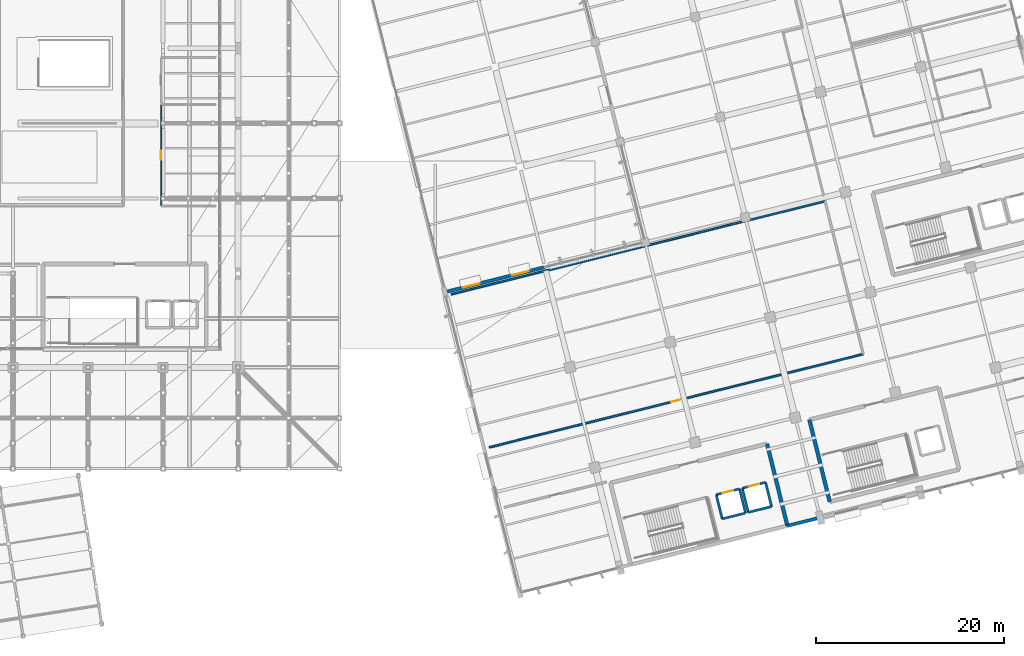
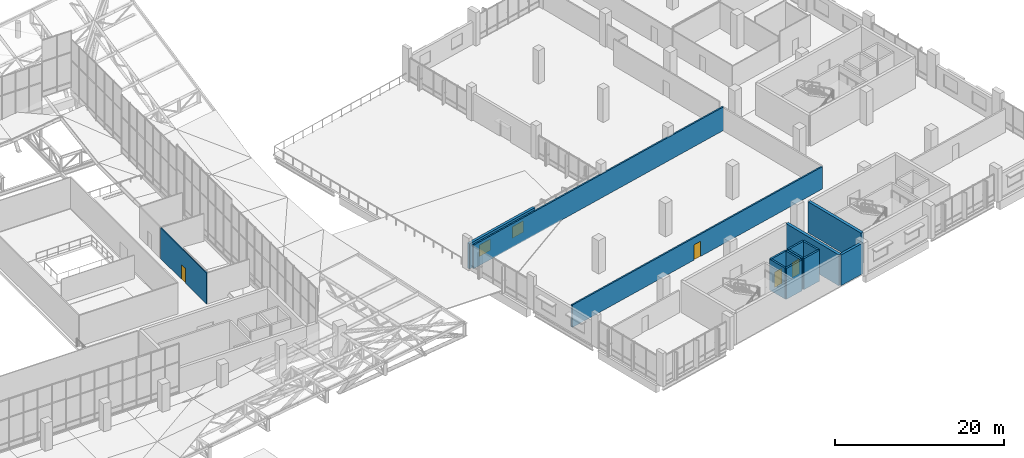
# One storey, part 123 of 137: 15 walls, 4 doors, 2 windows, 6 openings.
"""IFC4 building model written with IfcOpenShell, lengths in metres."""

from ifc_helpers import new_model, si_unit, direction, frame, frame_2d, origin, place, context, subcontext, project, spatial, rectangle, extrude, material, layer, layer_set, type_object, element, fill, save


model = new_model("IFC4")

# Units and contexts
model_context = context("Model", 3, precision=1e-05, world=origin(), true_north=direction((0.0, 1.0)))
body_context = subcontext(model_context, "Body", "Model", "MODEL_VIEW")
ifc_project = project(units=[si_unit("LENGTHUNIT", "METRE"), si_unit("AREAUNIT", "SQUARE_METRE"), si_unit("VOLUMEUNIT", "CUBIC_METRE"), si_unit("PLANEANGLEUNIT", "RADIAN"), si_unit("MASSUNIT", "GRAM", prefix="KILO")], contexts=[model_context])

# Site, building, storey
site_placement = place(None, origin())
site = spatial("IfcSite", under=ifc_project, at=site_placement, CompositionType="ELEMENT")
building_placement = place(site_placement, origin())
building = spatial("IfcBuilding", under=site, at=building_placement, Name="Khorjan Park Terminus", CompositionType="ELEMENT")
storey_placement = place(building_placement, frame((0.0, 0.0, 11.4)))
storey = spatial("IfcBuildingStorey", under=building, at=storey_placement, Name="L02", CompositionType="ELEMENT", Elevation=11.4)

# Walls
ifc_material_1 = material(Name="Concrete C50/60", Category="concrete")
ifc_layer_1 = layer(ifc_material_1, 0.4)
ifc_layer_set_1 = layer_set([ifc_layer_1], Name="Concrete C50/60")
wall_type_1 = type_object("IfcWallType", Name="CW-40", PredefinedType="SHEAR", material=ifc_layer_set_1)
wall_1_placement = place(storey_placement, frame((194.5267, 9.1125, 0.0), z_axis=(0.0, 0.0, 1.0), x_axis=(-0.241923808098, 0.970295249435, 0.0)))
element("IfcWall", 1, at=wall_1_placement, inside=storey, type_object=wall_type_1, Name="Operations West Firefighting Core concrete shear wall CW-40 (L02-E2)", PredefinedType="SHEAR", context=body_context, shape_type="SweptSolid", body=[
    extrude(rectangle(XDim=8.9999, YDim=0.4, at=frame_2d((4.5, 0.0))), origin(), (0.0, 0.0, 1.0), 4.46),
])
wall_2_placement = place(storey_placement, frame((196.8622, 20.4132, 0.0), z_axis=(0.0, 0.0, 1.0), x_axis=(0.241921199913, -0.97029589973, 0.0)))
element("IfcWall", 2, at=wall_2_placement, inside=storey, type_object=wall_type_1, Name="Operations Central Command Core concrete shear wall CW-40 (L02-E4)", PredefinedType="SHEAR", context=body_context, shape_type="SweptSolid", body=[
    extrude(rectangle(XDim=9.0, YDim=0.4, at=frame_2d((4.5, 0.0))), origin(), (0.0, 0.0, 1.0), 4.46),
])

# Wall, openings, windows
ifc_material_2 = material(Name="Pigmented Precast GRC & Concrete C40/50", Category="concrete")
ifc_layer_2 = layer(ifc_material_2, 0.35)
ifc_layer_set_2 = layer_set([ifc_layer_2], Name="Pigmented Precast GRC & Concrete C40/50")
wall_type_2 = type_object("IfcWallType", Name="EW-35", PredefinedType="STANDARD", material=ifc_layer_set_2)
wall_3_placement = place(storey_placement, frame((168.6898, 36.6809, 0.0), z_axis=(0.0, 0.0, 1.0), x_axis=(-0.970296119963, -0.241920316602, 0.0)))
wall_3 = element("IfcWall", 3, at=wall_3_placement, inside=storey, type_object=wall_type_2, Name="External pigmented-GRC insulated wall EW-35 (EW-V5-NW2-L02-B02)", PredefinedType="STANDARD", context=body_context, shape_type="SweptSolid", body=[
    extrude(rectangle(XDim=10.7845, YDim=0.35, at=frame_2d((5.3922, 0.0))), origin(), (0.0, 0.0, 1.0), 3.615),
])
opening_1_placement = place(wall_3_placement, frame((1.7961, 0.0, 0.85)))
opening_1 = element("IfcOpeningElement", 4, at=opening_1_placement, cuts=wall_3, Name="Opening WN-18", PredefinedType="OPENING", context=body_context, shape_type="SweptSolid", body=[
    extrude(rectangle(XDim=1.8, YDim=1.65, at=frame_2d((0.9, 0.825))), frame((0.0, 0.185, 0.0), z_axis=(0.0, -1.0, 0.0), x_axis=(1.0, 0.0, 0.0)), (0.0, 0.0, 1.0), 0.37),
])
opening_2_placement = place(wall_3_placement, frame((7.1884, 0.0, 0.85)))
opening_2 = element("IfcOpeningElement", 5, at=opening_2_placement, cuts=wall_3, Name="Opening WN-18", PredefinedType="OPENING", context=body_context, shape_type="SweptSolid", body=[
    extrude(rectangle(XDim=1.8, YDim=1.65, at=frame_2d((0.9, 0.825))), frame((0.0, 0.185, 0.0), z_axis=(0.0, -1.0, 0.0), x_axis=(1.0, 0.0, 0.0)), (0.0, 0.0, 1.0), 0.37),
])
ifc_material_3 = material(Name="Anodized Bronze Aluminium & Low-E Glass", Category="aluminium")
window_type = type_object("IfcWindowType", Name="WN-18", PartitioningType="SINGLE_PANEL", PredefinedType="WINDOW", material=ifc_material_3)
window_1_placement = place(opening_1_placement, origin())
window_1 = element("IfcWindow", 6, at=window_1_placement, inside=storey, type_object=window_type, Name="Solar-control exterior window WN-18 (WN-EW-V5-NW2-L02-B02-1)", OverallHeight=1.65, OverallWidth=1.8, PartitioningType="SINGLE_PANEL", PredefinedType="WINDOW", context=body_context, shape_type="SweptSolid", body=[
    extrude(rectangle(XDim=1.8, YDim=1.65, at=frame_2d((0.9, 0.825))), frame((0.0, 0.03, 0.0), z_axis=(0.0, -1.0, 0.0), x_axis=(1.0, 0.0, 0.0)), (0.0, 0.0, 1.0), 0.06),
])
fill(opening_1, window_1)
window_2_placement = place(opening_2_placement, origin())
window_2 = element("IfcWindow", 7, at=window_2_placement, inside=storey, type_object=window_type, Name="Solar-control exterior window WN-18 (WN-EW-V5-NW2-L02-B02-2)", OverallHeight=1.65, OverallWidth=1.8, PartitioningType="SINGLE_PANEL", PredefinedType="WINDOW", context=body_context, shape_type="SweptSolid", body=[
    extrude(rectangle(XDim=1.8, YDim=1.65, at=frame_2d((0.9, 0.825))), frame((0.0, 0.03, 0.0), z_axis=(0.0, -1.0, 0.0), x_axis=(1.0, 0.0, 0.0)), (0.0, 0.0, 1.0), 0.06),
])
fill(opening_2, window_2)

# Wall
wall_4_placement = place(storey_placement, frame((194.5267, 9.1125, 0.0), z_axis=(0.0, 0.0, 1.0), x_axis=(0.970297528922, 0.241914665466, 0.0)))
element("IfcWall", 8, at=wall_4_placement, inside=storey, type_object=wall_type_2, Name="External pigmented-GRC core infill wall EW-35 (EW-V5-K3P-L02-2)", PredefinedType="STANDARD", context=body_context, shape_type="SweptSolid", body=[
    extrude(rectangle(XDim=3.6, YDim=0.35, at=frame_2d((1.8, 0.0))), origin(), (0.0, 0.0, 1.0), 4.435),
])

# Wall, opening, door
ifc_material_4 = material(Name="Moisture-Resistant Sanitary Partition")
ifc_layer_3 = layer(ifc_material_4, 0.14)
ifc_layer_set_3 = layer_set([ifc_layer_3], Name="Moisture-Resistant Sanitary Partition")
wall_type_3 = type_object("IfcWallType", Name="PT-14", PredefinedType="PARTITIONING", material=ifc_layer_set_3)
wall_5_placement = place(storey_placement, frame((127.8, 43.2, 0.0), z_axis=(0.0, 0.0, 1.0), x_axis=(0.0, 1.0, 0.0)))
wall_5 = element("IfcWall", 9, at=wall_5_placement, inside=storey, type_object=wall_type_3, Name="Interior acoustic partition PT-14 (L02-WC2)", PredefinedType="PARTITIONING", context=body_context, shape_type="SweptSolid", body=[
    extrude(rectangle(XDim=10.8, YDim=0.14, at=frame_2d((5.4, 0.0))), origin(), (0.0, 0.0, 1.0), 4.46),
])
opening_3_placement = place(wall_5_placement, frame((4.9, 0.0, 0.0)))
opening_3 = element("IfcOpeningElement", 10, at=opening_3_placement, cuts=wall_5, Name="Opening ID-10", PredefinedType="OPENING", context=body_context, shape_type="SweptSolid", body=[
    extrude(rectangle(XDim=1.0, YDim=2.15, at=frame_2d((0.5, 1.075))), frame((0.0, 0.08, 0.0), z_axis=(0.0, -1.0, 0.0), x_axis=(1.0, 0.0, 0.0)), (0.0, 0.0, 1.0), 0.16),
])
ifc_material_5 = material(Name="Acoustic Fire-Rated Single Door")
door_type_1 = type_object("IfcDoorType", Name="ID-10", OperationType="NOTDEFINED", PredefinedType="DOOR", material=ifc_material_5)
door_1_placement = place(opening_3_placement, origin())
door_1 = element("IfcDoor", 11, at=door_1_placement, inside=storey, type_object=door_type_1, Name="Interior door ID-10 (L02-WC2)", OperationType="SINGLE_SWING_LEFT", OverallHeight=2.15, OverallWidth=1.0, PredefinedType="DOOR", context=body_context, shape_type="SweptSolid", body=[
    extrude(rectangle(XDim=1.0, YDim=2.15, at=frame_2d((0.5, 1.075))), frame((0.0, 0.025, 0.0), z_axis=(0.0, -1.0, 0.0), x_axis=(1.0, 0.0, 0.0)), (0.0, 0.0, 1.0), 0.05),
])
fill(opening_3, door_1)

ifc_material_6 = material(Name="Fire-Rated Acoustic Masonry & Drywall", Category="masonry")
ifc_layer_4 = layer(ifc_material_6, 0.2)
ifc_layer_set_4 = layer_set([ifc_layer_4], Name="Fire-Rated Acoustic Masonry & Drywall")
wall_type_4 = type_object("IfcWallType", Name="PT-20", PredefinedType="PARTITIONING", material=ifc_layer_set_4)
wall_6_placement = place(storey_placement, frame((202.6002, 27.4092, 0.0), z_axis=(0.0, 0.0, 1.0), x_axis=(-0.970295311026, -0.241923561072, 0.0)))
wall_6 = element("IfcWall", 12, at=wall_6_placement, inside=storey, type_object=wall_type_4, Name="Interior acoustic partition PT-20 (L02-TEL)", PredefinedType="PARTITIONING", context=body_context, shape_type="SweptSolid", body=[
    extrude(rectangle(XDim=41.0601, YDim=0.2, at=frame_2d((20.53, 0.0))), origin(), (0.0, 0.0, 1.0), 3.225),
])
opening_4_placement = place(wall_6_placement, frame((19.98, 0.0, 0.0)))
opening_4 = element("IfcOpeningElement", 13, at=opening_4_placement, cuts=wall_6, Name="Opening FD-11", PredefinedType="OPENING", context=body_context, shape_type="SweptSolid", body=[
    extrude(rectangle(XDim=1.1, YDim=2.2, at=frame_2d((0.55, 1.1))), frame((0.0, 0.11, 0.0), z_axis=(0.0, -1.0, 0.0), x_axis=(1.0, 0.0, 0.0)), (0.0, 0.0, 1.0), 0.22),
])
ifc_material_7 = material(Name="Fire-Rated Steel Single Door", Category="steel")
door_type_2 = type_object("IfcDoorType", Name="FD-11", OperationType="NOTDEFINED", PredefinedType="DOOR", material=ifc_material_7)
door_2_placement = place(opening_4_placement, origin())
door_2 = element("IfcDoor", 14, at=door_2_placement, inside=storey, type_object=door_type_2, Name="Interior door FD-11 (L02-TEL)", OperationType="SINGLE_SWING_LEFT", OverallHeight=2.2, OverallWidth=1.1, PredefinedType="DOOR", context=body_context, shape_type="SweptSolid", body=[
    extrude(rectangle(XDim=1.1, YDim=2.2, at=frame_2d((0.55, 1.1))), frame((0.0, 0.025, 0.0), z_axis=(0.0, -1.0, 0.0), x_axis=(1.0, 0.0, 0.0)), (0.0, 0.0, 1.0), 0.05),
])
fill(opening_4, door_2)

# Walls
wall_7_placement = place(storey_placement, frame((158.6955, 33.7768, 0.0), z_axis=(0.0, 0.0, 1.0), x_axis=(0.970295882715, 0.241921268154, 0.0)))
element("IfcWall", 15, at=wall_7_placement, inside=storey, type_object=wall_type_4, Name="Interior acoustic partition PT-20 (L02-TEL)", PredefinedType="PARTITIONING", context=body_context, shape_type="SweptSolid", body=[
    extrude(rectangle(XDim=41.0601, YDim=0.2, at=frame_2d((20.53, 0.0))), origin(), (0.0, 0.0, 1.0), 3.405),
])
ifc_material_8 = material(Name="Concrete C40/50", Category="concrete")
ifc_layer_5 = layer(ifc_material_8, 0.25)
ifc_layer_set_5 = layer_set([ifc_layer_5], Name="Concrete C40/50")
wall_type_5 = type_object("IfcWallType", Name="SW-25", PredefinedType="SOLIDWALL", material=ifc_layer_set_5)
wall_8_placement = place(storey_placement, frame((187.5883, 9.8663, 0.0), z_axis=(0.0, 0.0, 1.0), x_axis=(0.97029284861, 0.241933436994, 0.0)))
element("IfcWall", 16, at=wall_8_placement, inside=storey, type_object=wall_type_5, Name="Lift L05 concrete shaft wall SW-25 (L02-1)", PredefinedType="SOLIDWALL", context=body_context, shape_type="SweptSolid", body=[
    extrude(rectangle(XDim=2.54, YDim=0.25, at=frame_2d((1.27, 0.0))), origin(), (0.0, 0.0, 1.0), 4.46),
])
wall_9_placement = place(storey_placement, frame((190.0528, 10.4808, 0.0), z_axis=(0.0, 0.0, 1.0), x_axis=(-0.241938414856, 0.970291607413, 0.0)))
element("IfcWall", 17, at=wall_9_placement, inside=storey, type_object=wall_type_5, Name="Lift L05 concrete shaft wall SW-25 (L02-2)", PredefinedType="SOLIDWALL", context=body_context, shape_type="SweptSolid", body=[
    extrude(rectangle(XDim=2.6399, YDim=0.25, at=frame_2d((1.3199, 0.0))), origin(), (0.0, 0.0, 1.0), 4.46),
])

# Wall, opening, door
wall_10_placement = place(storey_placement, frame((189.4141, 13.0423, 0.0), z_axis=(0.0, 0.0, 1.0), x_axis=(-0.97029284861, -0.241933436994, 0.0)))
wall_10 = element("IfcWall", 18, at=wall_10_placement, inside=storey, type_object=wall_type_5, Name="Lift L05 concrete shaft wall SW-25 (L02-3)", PredefinedType="SOLIDWALL", context=body_context, shape_type="SweptSolid", body=[
    extrude(rectangle(XDim=2.54, YDim=0.25, at=frame_2d((1.27, 0.0))), origin(), (0.0, 0.0, 1.0), 4.46),
])
opening_5_placement = place(wall_10_placement, frame((0.67, 0.0, 0.0)))
opening_5 = element("IfcOpeningElement", 19, at=opening_5_placement, cuts=wall_10, Name="Opening LD-12", PredefinedType="OPENING", context=body_context, shape_type="SweptSolid", body=[
    extrude(rectangle(XDim=1.2, YDim=2.2, at=frame_2d((0.6, 1.1))), frame((0.0, 0.135, 0.0), z_axis=(0.0, -1.0, 0.0), x_axis=(1.0, 0.0, 0.0)), (0.0, 0.0, 1.0), 0.27),
])
ifc_material_9 = material(Name="Stainless-Steel Lift Landing Sliding Door", Category="steel")
door_type_3 = type_object("IfcDoorType", Name="LD-12", OperationType="NOTDEFINED", PredefinedType="DOOR", material=ifc_material_9)
door_3_placement = place(opening_5_placement, origin())
door_3 = element("IfcDoor", 20, at=door_3_placement, inside=storey, type_object=door_type_3, Name="Lift L05 sliding landing door LD-12 (L02)", OperationType="SLIDING_TO_LEFT", OverallHeight=2.2, OverallWidth=1.2, PredefinedType="DOOR", context=body_context, shape_type="SweptSolid", body=[
    extrude(rectangle(XDim=1.2, YDim=2.2, at=frame_2d((0.6, 1.1))), frame((0.0, 0.025, 0.0), z_axis=(0.0, -1.0, 0.0), x_axis=(1.0, 0.0, 0.0)), (0.0, 0.0, 1.0), 0.05),
])
fill(opening_5, door_3)

# Walls
wall_11_placement = place(storey_placement, frame((186.9496, 12.4278, 0.0), z_axis=(0.0, 0.0, 1.0), x_axis=(0.241938414856, -0.970291607413, 0.0)))
element("IfcWall", 21, at=wall_11_placement, inside=storey, type_object=wall_type_5, Name="Lift L05 concrete shaft wall SW-25 (L02-4)", PredefinedType="SOLIDWALL", context=body_context, shape_type="SweptSolid", body=[
    extrude(rectangle(XDim=2.6399, YDim=0.25, at=frame_2d((1.3199, 0.0))), origin(), (0.0, 0.0, 1.0), 4.46),
])
wall_12_placement = place(storey_placement, frame((190.3633, 10.5582, 0.0), z_axis=(0.0, 0.0, 1.0), x_axis=(0.97029284861, 0.241933436994, 0.0)))
element("IfcWall", 22, at=wall_12_placement, inside=storey, type_object=wall_type_5, Name="Lift L06 concrete shaft wall SW-25 (L02-1)", PredefinedType="SOLIDWALL", context=body_context, shape_type="SweptSolid", body=[
    extrude(rectangle(XDim=2.54, YDim=0.25, at=frame_2d((1.27, 0.0))), origin(), (0.0, 0.0, 1.0), 4.46),
])
wall_13_placement = place(storey_placement, frame((192.8278, 11.1727, 0.0), z_axis=(0.0, 0.0, 1.0), x_axis=(-0.241938414856, 0.970291607413, 0.0)))
element("IfcWall", 23, at=wall_13_placement, inside=storey, type_object=wall_type_5, Name="Lift L06 concrete shaft wall SW-25 (L02-2)", PredefinedType="SOLIDWALL", context=body_context, shape_type="SweptSolid", body=[
    extrude(rectangle(XDim=2.6399, YDim=0.25, at=frame_2d((1.3199, 0.0))), origin(), (0.0, 0.0, 1.0), 4.46),
])

# Wall, opening, door
wall_14_placement = place(storey_placement, frame((192.1891, 13.7342, 0.0), z_axis=(0.0, 0.0, 1.0), x_axis=(-0.97029284861, -0.241933436994, 0.0)))
wall_14 = element("IfcWall", 24, at=wall_14_placement, inside=storey, type_object=wall_type_5, Name="Lift L06 concrete shaft wall SW-25 (L02-3)", PredefinedType="SOLIDWALL", context=body_context, shape_type="SweptSolid", body=[
    extrude(rectangle(XDim=2.54, YDim=0.25, at=frame_2d((1.27, 0.0))), origin(), (0.0, 0.0, 1.0), 4.46),
])
opening_6_placement = place(wall_14_placement, frame((0.67, 0.0, 0.0)))
opening_6 = element("IfcOpeningElement", 25, at=opening_6_placement, cuts=wall_14, Name="Opening LD-12", PredefinedType="OPENING", context=body_context, shape_type="SweptSolid", body=[
    extrude(rectangle(XDim=1.2, YDim=2.2, at=frame_2d((0.6, 1.1))), frame((0.0, 0.135, 0.0), z_axis=(0.0, -1.0, 0.0), x_axis=(1.0, 0.0, 0.0)), (0.0, 0.0, 1.0), 0.27),
])
door_4_placement = place(opening_6_placement, origin())
door_4 = element("IfcDoor", 26, at=door_4_placement, inside=storey, type_object=door_type_3, Name="Lift L06 sliding landing door LD-12 (L02)", OperationType="SLIDING_TO_RIGHT", OverallHeight=2.2, OverallWidth=1.2, PredefinedType="DOOR", context=body_context, shape_type="SweptSolid", body=[
    extrude(rectangle(XDim=1.2, YDim=2.2, at=frame_2d((0.6, 1.1))), frame((0.0, 0.025, 0.0), z_axis=(0.0, -1.0, 0.0), x_axis=(1.0, 0.0, 0.0)), (0.0, 0.0, 1.0), 0.05),
])
fill(opening_6, door_4)

# Wall
wall_15_placement = place(storey_placement, frame((189.7246, 13.1197, 0.0), z_axis=(0.0, 0.0, 1.0), x_axis=(0.241938414856, -0.970291607413, 0.0)))
element("IfcWall", 27, at=wall_15_placement, inside=storey, type_object=wall_type_5, Name="Lift L06 concrete shaft wall SW-25 (L02-4)", PredefinedType="SOLIDWALL", context=body_context, shape_type="SweptSolid", body=[
    extrude(rectangle(XDim=2.6399, YDim=0.25, at=frame_2d((1.3199, 0.0))), origin(), (0.0, 0.0, 1.0), 4.46),
])

save(model, "model.ifc")
